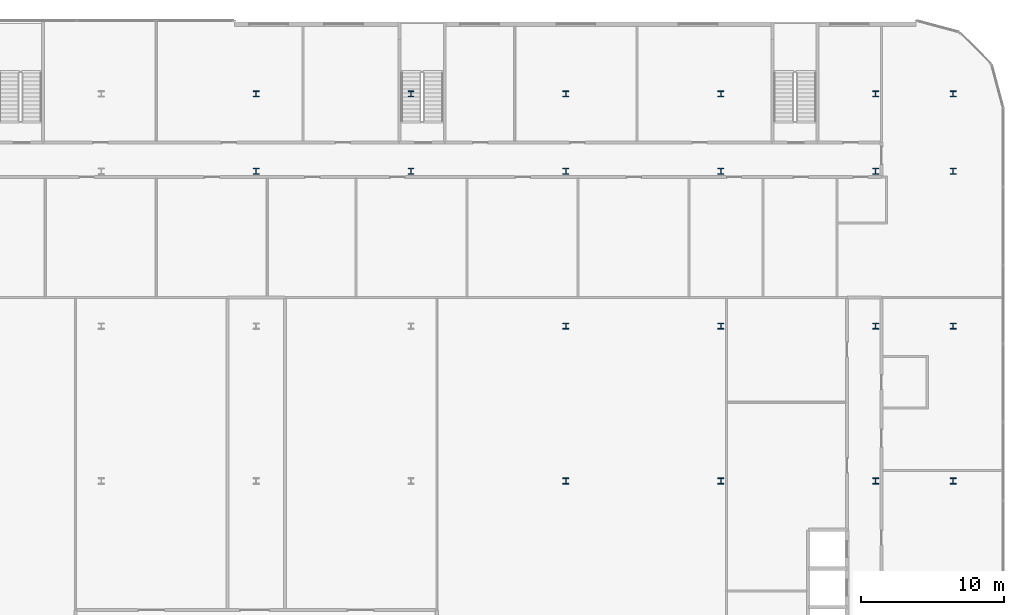
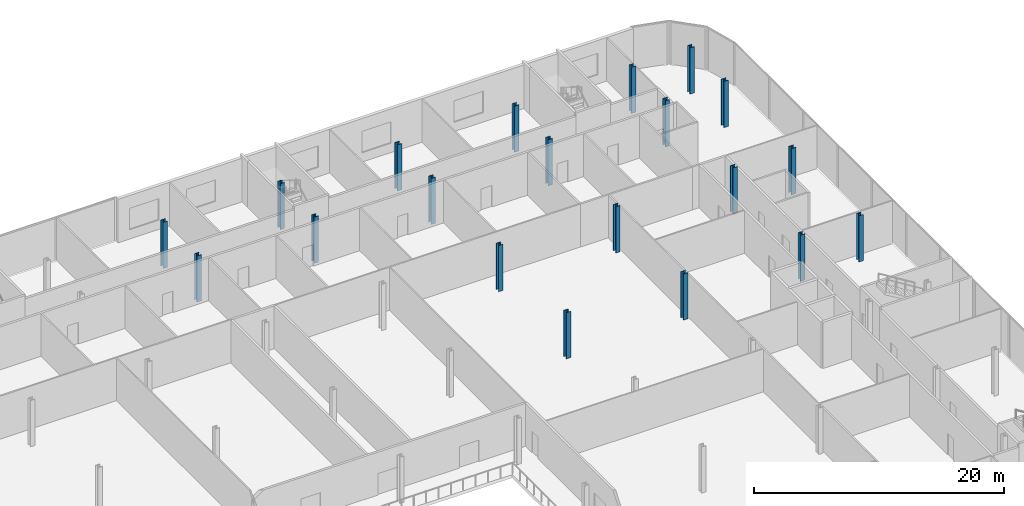
# One storey, part 5 of 47: 20 columns.
"""IFC4 building model written with IfcOpenShell, lengths in metres."""

from ifc_helpers import new_model, si_unit, direction, frame, origin, origin_2d, place, context, subcontext, project, spatial, i_section, extrude, material, material_profile, profile_set, type_object, element, save


model = new_model("IFC4")

# Units and contexts
model_context = context("Model", 3, precision=1e-05, world=origin(), true_north=direction((0.0, 1.0)))
body_context = subcontext(model_context, "Body", "Model", "MODEL_VIEW")
ifc_project = project(units=[si_unit("LENGTHUNIT", "METRE"), si_unit("AREAUNIT", "SQUARE_METRE"), si_unit("VOLUMEUNIT", "CUBIC_METRE"), si_unit("PLANEANGLEUNIT", "RADIAN"), si_unit("MASSUNIT", "GRAM", prefix="KILO")], contexts=[model_context])

# Site, building, storey
site_placement = place(None, origin())
site = spatial("IfcSite", under=ifc_project, at=site_placement, CompositionType="ELEMENT")
building_placement = place(site_placement, origin())
building = spatial("IfcBuilding", under=site, at=building_placement, Name="Kheshtan School and Residences Tower", CompositionType="ELEMENT")
storey_placement = place(building_placement, frame((0.0, 0.0, 17.0)))
storey = spatial("IfcBuildingStorey", under=building, at=storey_placement, Name="L03", CompositionType="ELEMENT", Elevation=17.0)

# Columns
ifc_material = material(Name="Steel ASTM A992 Grade 50", Category="steel")
ifc_material_profile = material_profile(ifc_material, i_section(OverallWidth=0.408935546875, OverallDepth=0.425048828125, WebThickness=0.03271484375, FlangeThickness=0.052490234375, FilletRadius=0.0126953125, at=origin_2d()), Name="W360x421")
ifc_profile_set = profile_set([ifc_material_profile], Name="Steel ASTM A992 Grade 50")
column_type = type_object("IfcColumnType", Name="Column PC2 W360x421 ASTM A992 Grade 50", PredefinedType="COLUMN", material=ifc_profile_set)
for number, where, z_axis, x_axis, name in (
    (1, (101.60009765625, 78.0, 0.0), (0.0, 0.0, 1.0), (1.0, 0.0, 0.0), "Column P-081"),
    (2, (112.39990234375, 78.0, 0.0), (0.0, 0.0, 1.0), (1.0, 0.0, 0.0), "Column P-082"),
    (3, (123.199951171875, 78.0, 0.0), (0.0, 0.0, 1.0), (1.0, 0.0, 0.0), "Column P-083"),
    (4, (128.60009765625, 78.0, 0.0), (0.0, 0.0, 1.0), (1.0, 0.0, 0.0), "Column P-084"),
    (5, (101.60009765625, 88.800048828125, 0.0), (0.0, 0.0, 1.0), (1.0, 0.0, 0.0), "Column P-093"),
    (6, (112.39990234375, 88.800048828125, 0.0), (0.0, 0.0, 1.0), (1.0, 0.0, 0.0), "Column P-094"),
    (7, (123.199951171875, 88.800048828125, 0.0), (0.0, 0.0, 1.0), (1.0, 0.0, 0.0), "Column P-095"),
    (8, (128.60009765625, 88.800048828125, 0.0), (0.0, 0.0, 1.0), (1.0, 0.0, 0.0), "Column P-096"),
    (9, (80.0, 99.60009765625, 0.0), (0.0, 0.0, 1.0), (1.0, 0.0, 0.0), "Column P-103"),
    (10, (90.800048828125, 99.60009765625, 0.0), (0.0, 0.0, 1.0), (1.0, 0.0, 0.0), "Column P-104"),
    (11, (101.60009765625, 99.60009765625, 0.0), (0.0, 0.0, 1.0), (1.0, 0.0, 0.0), "Column P-105"),
    (12, (112.39990234375, 99.60009765625, 0.0), (0.0, 0.0, 1.0), (1.0, 0.0, 0.0), "Column P-106"),
    (13, (123.199951171875, 99.60009765625, 0.0), (0.0, 0.0, 1.0), (1.0, 0.0, 0.0), "Column P-107"),
    (14, (128.60009765625, 99.60009765625, 0.0), (0.0, 0.0, 1.0), (1.0, 0.0, 0.0), "Column P-108"),
    (15, (80.0, 105.0, 0.0), (0.0, 0.0, 1.0), (1.0, 0.0, 0.0), "Column P-115"),
    (16, (90.800048828125, 105.0, 0.0), (0.0, 0.0, 1.0), (1.0, 0.0, 0.0), "Column P-116"),
    (17, (101.60009765625, 105.0, 0.0), (0.0, 0.0, 1.0), (1.0, 0.0, 0.0), "Column P-117"),
    (18, (112.39990234375, 105.0, 0.0), (0.0, 0.0, 1.0), (1.0, 0.0, 0.0), "Column P-118"),
    (19, (123.199951171875, 105.0, 0.0), (0.0, 0.0, 1.0), (1.0, 0.0, 0.0), "Column P-119"),
    (20, (128.60009765625, 105.0, 0.0), (0.0, 0.0, 1.0), (1.0, 0.0, 0.0), "Column P-120"),
):
    element("IfcColumn", number, at=place(storey_placement, frame(where, z_axis=z_axis, x_axis=x_axis)), inside=storey, type_object=column_type, Name=name, PredefinedType="COLUMN", context=body_context, shape_type="SweptSolid", body=[
        extrude(i_section(OverallWidth=0.408935546875, OverallDepth=0.425048828125, WebThickness=0.03271484375, FlangeThickness=0.052490234375, FilletRadius=0.0126953125, at=origin_2d()), origin(), (0.0, 0.0, 1.0), 4.5),
    ])

save(model, "model.ifc")
